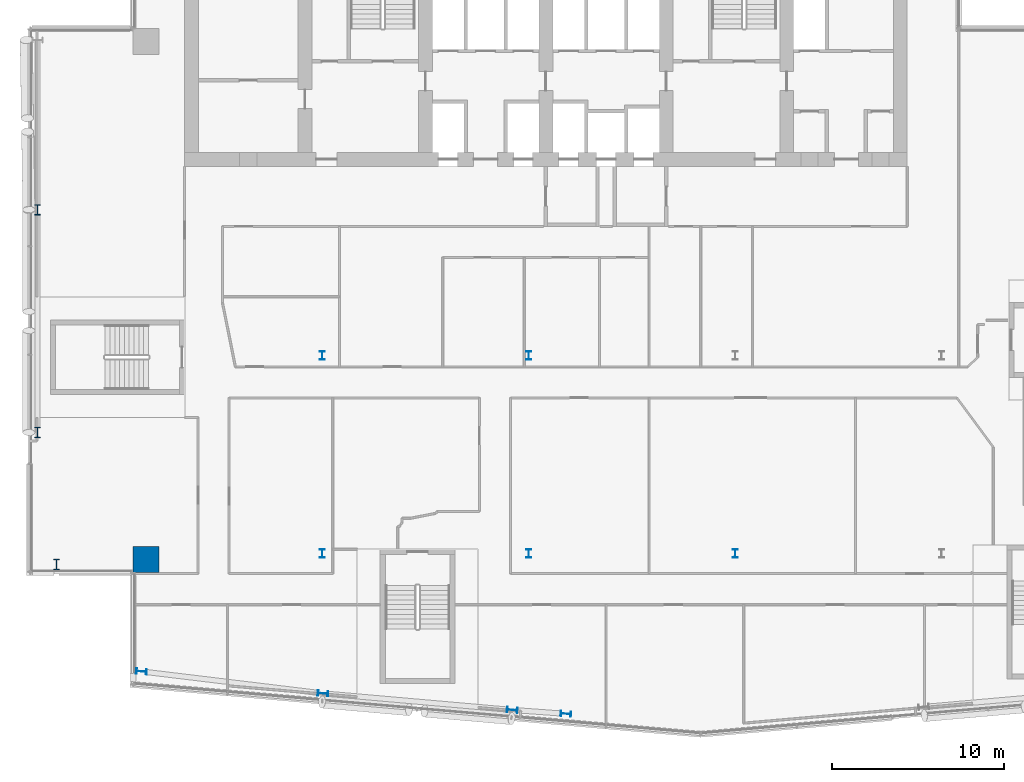
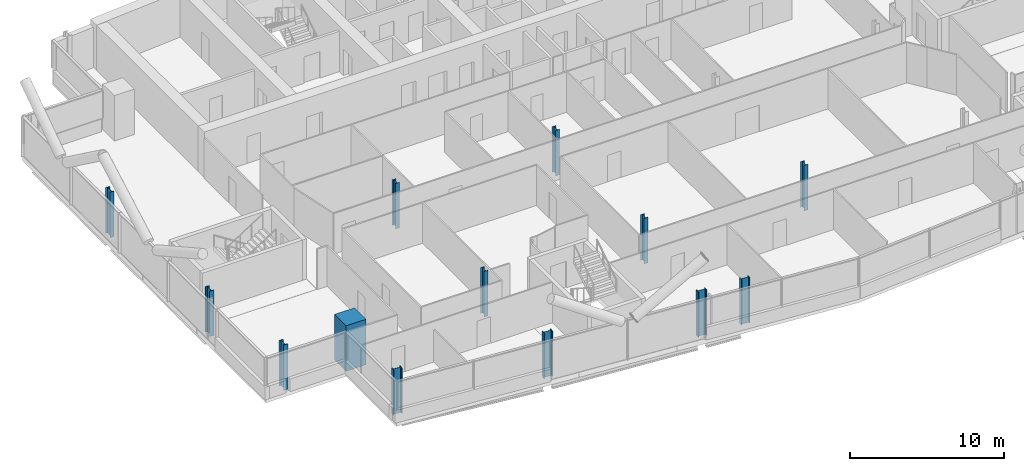
# One storey, part 1 of 27: 13 columns.
"""IFC4 building model written with IfcOpenShell, lengths in metres."""

from ifc_helpers import new_model, si_unit, direction, frame, origin, origin_2d, place, context, subcontext, project, spatial, rectangle, i_section, extrude, material, material_profile, profile_set, type_object, element, save


model = new_model("IFC4")

# Units and contexts
model_context = context("Model", 3, precision=1e-05, world=origin(), true_north=direction((0.0, 1.0)))
body_context = subcontext(model_context, "Body", "Model", "MODEL_VIEW")
ifc_project = project(units=[si_unit("LENGTHUNIT", "METRE"), si_unit("AREAUNIT", "SQUARE_METRE"), si_unit("VOLUMEUNIT", "CUBIC_METRE"), si_unit("PLANEANGLEUNIT", "RADIAN"), si_unit("MASSUNIT", "GRAM", prefix="KILO")], contexts=[model_context])

# Site, building, storey
site_placement = place(None, origin())
site = spatial("IfcSite", under=ifc_project, at=site_placement, CompositionType="ELEMENT")
building_placement = place(site_placement, origin())
building = spatial("IfcBuilding", under=site, at=building_placement, Name="Wharfspan Tower", CompositionType="ELEMENT")
storey_placement = place(building_placement, frame((0.0, 0.0, 195.100098)))
storey = spatial("IfcBuildingStorey", under=building, at=storey_placement, Name="L48", CompositionType="ELEMENT", Elevation=195.100098)

# Columns
ifc_material_1 = material(Name="Steel S355J2", Category="steel")
ifc_material_profile_1 = material_profile(ifc_material_1, i_section(OverallWidth=0.300049, OverallDepth=0.5, WebThickness=0.014404, FlangeThickness=0.028076, FilletRadius=0.0271, at=origin_2d()))
ifc_profile_set_1 = profile_set([ifc_material_profile_1], Name="Steel S355J2")
column_type_1 = type_object("IfcColumnType", Name="Column HEB 500", PredefinedType="COLUMN", material=ifc_profile_set_1)
for number, where, z_axis, x_axis, name in (
    (1, (24.0, 11.5, 0.0), (0.0, 0.0, 1.0), (1.0, 0.0, 0.0), "Interior column I.1.1 L48"),
    (2, (36.0, 11.5, 0.0), (0.0, 0.0, 1.0), (1.0, 0.0, 0.0), "Interior column I.1.2 L48"),
    (3, (48.0, 11.5, 0.0), (0.0, 0.0, 1.0), (1.0, 0.0, 0.0), "Interior column I.1.3 L48"),
    (4, (24.0, 23.0, 0.0), (0.0, 0.0, 1.0), (1.0, 0.0, 0.0), "Interior column I.2.1 L48"),
    (5, (36.0, 23.0, 0.0), (0.0, 0.0, 1.0), (1.0, 0.0, 0.0), "Interior column I.2.2 L48"),
):
    element("IfcColumn", number, at=place(storey_placement, frame(where, z_axis=z_axis, x_axis=x_axis)), inside=storey, type_object=column_type_1, Name=name, PredefinedType="COLUMN", context=body_context, shape_type="SweptSolid", body=[
        extrude(i_section(OverallWidth=0.300049, OverallDepth=0.5, WebThickness=0.014404, FlangeThickness=0.028076, FilletRadius=0.0271, at=origin_2d()), origin(), (0.0, 0.0, 1.0), 3.599854),
    ])
ifc_material_profile_2 = material_profile(ifc_material_1, i_section(OverallWidth=0.304932, OverallDepth=0.620117, WebThickness=0.020996, FlangeThickness=0.040039, FilletRadius=0.0271, at=origin_2d()))
ifc_profile_set_2 = profile_set([ifc_material_profile_2], Name="Steel S355J2")
column_type_2 = type_object("IfcColumnType", Name="Column HEM 600", PredefinedType="COLUMN", material=ifc_profile_set_2)
for number, where, z_axis, x_axis, name in (
    (6, (13.490723, 4.637451, 0.0), (0.0, 0.0, 1.0), (-0.087156, -0.996198, 0.0), "Perimeter column PS1.1 L48"),
    (7, (24.039307, 3.361084, 0.0), (0.0, 0.0, 1.0), (-0.087156, -0.996198, 0.0), "Perimeter column PS1.2 L48"),
    (8, (35.039307, 2.398682, 0.0), (0.0, 0.0, 1.0), (-0.087156, -0.996198, 0.0), "Perimeter column PS1.3 L48"),
    (9, (38.161133, 2.174072, 0.0), (0.0, 0.0, 1.0), (-0.087156, -0.996198, 0.0), "Perimeter column PS1.4 L48"),
    (10, (7.449951, 31.466553, 0.0), (0.0, 0.0, 1.0), (-1.0, 0.0, 0.0), "Perimeter column PW.1 L48"),
    (11, (7.449951, 18.533447, 0.0), (0.0, 0.0, 1.0), (-1.0, 0.0, 0.0), "Perimeter column PW.2 L48"),
    (12, (8.560791, 10.854004, 0.0), (0.0, 0.0, 1.0), (-1.0, 0.0, 0.0), "Perimeter column PW.3 L48"),
):
    element("IfcColumn", number, at=place(storey_placement, frame(where, z_axis=z_axis, x_axis=x_axis)), inside=storey, type_object=column_type_2, Name=name, PredefinedType="COLUMN", context=body_context, shape_type="SweptSolid", body=[
        extrude(i_section(OverallWidth=0.304932, OverallDepth=0.620117, WebThickness=0.020996, FlangeThickness=0.040039, FilletRadius=0.0271, at=origin_2d()), origin(), (0.0, 0.0, 1.0), 3.599854),
    ])
ifc_material_2 = material(Name="Concrete C60/75", Category="concrete")
ifc_material_profile_3 = material_profile(ifc_material_2, rectangle(XDim=1.5, YDim=1.5, at=origin_2d()))
ifc_profile_set_3 = profile_set([ifc_material_profile_3], Name="Concrete C60/75")
column_type_3 = type_object("IfcColumnType", Name="Mega column 1500 C60/75", PredefinedType="COLUMN", material=ifc_profile_set_3)
column_placement = place(storey_placement, frame((13.75, 11.149902, 0.0), z_axis=(0.0, 0.0, 1.0), x_axis=(1.0, 0.0, 0.0)))
element("IfcColumn", 13, at=column_placement, inside=storey, type_object=column_type_3, Name="Mega column MC1 L48", PredefinedType="COLUMN", context=body_context, shape_type="SweptSolid", body=[
    extrude(rectangle(XDim=1.5, YDim=1.5, at=origin_2d()), origin(), (0.0, 0.0, 1.0), 3.599854),
])

save(model, "model.ifc")
